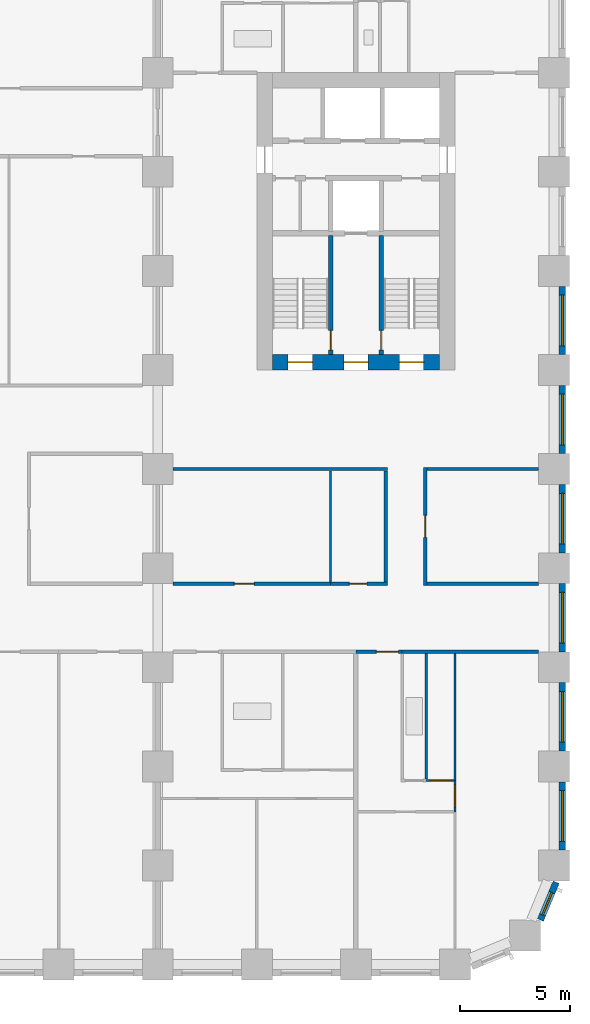
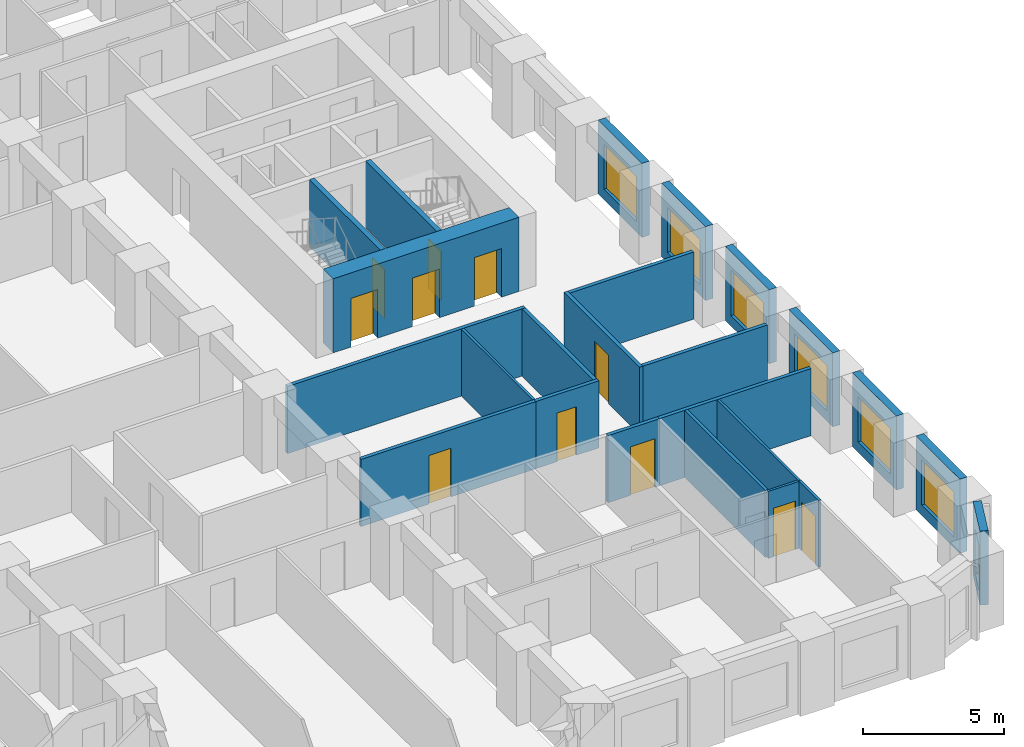
# One storey, part 5 of 12: 24 walls, 11 doors, 7 windows, 18 openings.
"""IFC4 building model written with IfcOpenShell, lengths in metres."""

from ifc_helpers import new_model, si_unit, direction, frame, frame_2d, origin, place, context, subcontext, project, spatial, rectangle, extrude, material, layer, layer_set, type_object, element, fill, save


model = new_model("IFC4")

# Units and contexts
model_context = context("Model", 3, precision=1e-05, world=origin(), true_north=direction((0.0, 1.0)))
body_context = subcontext(model_context, "Body", "Model", "MODEL_VIEW")
ifc_project = project(units=[si_unit("LENGTHUNIT", "METRE"), si_unit("AREAUNIT", "SQUARE_METRE"), si_unit("VOLUMEUNIT", "CUBIC_METRE"), si_unit("PLANEANGLEUNIT", "RADIAN"), si_unit("MASSUNIT", "GRAM", prefix="KILO")], contexts=[model_context])

# Site, building, storey
site_placement = place(None, origin())
site = spatial("IfcSite", under=ifc_project, at=site_placement, CompositionType="ELEMENT")
building_placement = place(site_placement, origin())
building = spatial("IfcBuilding", under=site, at=building_placement, Name="Girih Gate Residences", CompositionType="ELEMENT")
storey_placement = place(building_placement, frame((0.0, 0.0, 33.60009765625)))
storey = spatial("IfcBuildingStorey", under=building, at=storey_placement, Name="L07", CompositionType="ELEMENT", Elevation=33.60009765625)

# Wall
ifc_material_1 = material(Name="Gypsum board on steel studs", Category="steel")
ifc_layer_1 = layer(ifc_material_1, 0.14990234375)
ifc_layer_set_1 = layer_set([ifc_layer_1], Name="Compartment wall 150 mm")
wall_type_1 = type_object("IfcWallType", Name="Compartment wall 150 mm", PredefinedType="PARTITIONING", material=ifc_layer_set_1)
wall_1_placement = place(storey_placement, frame((42.60009765625, 14.199951171875, 0.0), z_axis=(0.0, 0.0, 1.0), x_axis=(1.0, 0.0, 0.0)))
element("IfcWall", 1, at=wall_1_placement, inside=storey, type_object=wall_type_1, Name="L07 partition", PredefinedType="PARTITIONING", context=body_context, shape_type="SweptSolid", body=[
    extrude(rectangle(XDim=6.199951171875, YDim=0.14990234375, at=frame_2d((3.10009765625, 0.0))), origin(), (0.0, 0.0, 1.0), 2.89990234375),
])

# Wall, opening, door
wall_2_placement = place(storey_placement, frame((42.60009765625, 14.199951171875, 0.0), z_axis=(0.0, 0.0, 1.0), x_axis=(-1.0, 0.0, 0.0)))
wall_2 = element("IfcWall", 2, at=wall_2_placement, inside=storey, type_object=wall_type_1, Name="L07 partition", PredefinedType="PARTITIONING", context=body_context, shape_type="SweptSolid", body=[
    extrude(rectangle(XDim=2.10009765625, YDim=0.14990234375, at=frame_2d((1.050048828125, 0.0))), origin(), (0.0, 0.0, 1.0), 2.89990234375),
])
opening_1_placement = place(wall_2_placement, frame((0.175048828125, 0.0, 0.0)))
opening_1 = element("IfcOpeningElement", 3, at=opening_1_placement, cuts=wall_2, Name="Opening A07-019", PredefinedType="OPENING", context=body_context, shape_type="SweptSolid", body=[
    extrude(rectangle(XDim=1.0, YDim=2.10009765625, at=frame_2d((0.5, 1.050048828125))), frame((0.0, 0.0849609375, 0.0), z_axis=(0.0, -1.0, 0.0), x_axis=(1.0, 0.0, 0.0)), (0.0, 0.0, 1.0), 0.169921875),
])
ifc_material_2 = material(Name="Timber, fire-rated core", Category="wood")
door_type_1 = type_object("IfcDoorType", Name="Flat entrance door 1000x2100 FD30S", OperationType="NOTDEFINED", PredefinedType="DOOR", material=ifc_material_2)
door_1_placement = place(opening_1_placement, origin())
door_1 = element("IfcDoor", 4, at=door_1_placement, inside=storey, type_object=door_type_1, Name="Door A07-019", OperationType="SINGLE_SWING_LEFT", OverallHeight=2.10009765625, OverallWidth=1.0, PredefinedType="DOOR", context=body_context, shape_type="SweptSolid", body=[
    extrude(rectangle(XDim=1.0, YDim=2.10009765625, at=frame_2d((0.5, 1.050048828125))), frame((0.0, 0.02490234375, 0.0), z_axis=(0.0, -1.0, 0.0), x_axis=(1.0, 0.0, 0.0)), (0.0, 0.0, 1.0), 0.050048828125),
])
fill(opening_1, door_1)

wall_3_placement = place(storey_placement, frame((32.199951171875, 17.300048828125, 0.0), z_axis=(0.0, 0.0, 1.0), x_axis=(1.0, 0.0, 0.0)))
wall_3 = element("IfcWall", 5, at=wall_3_placement, inside=storey, type_object=wall_type_1, Name="L07 partition", PredefinedType="PARTITIONING", context=body_context, shape_type="SweptSolid", body=[
    extrude(rectangle(XDim=7.150146484375, YDim=0.14990234375, at=frame_2d((3.5751953125, 0.0))), origin(), (0.0, 0.0, 1.0), 2.89990234375),
])
opening_2_placement = place(wall_3_placement, frame((2.77490234375, 0.0, 0.0)))
opening_2 = element("IfcOpeningElement", 6, at=opening_2_placement, cuts=wall_3, Name="Opening A07-045", PredefinedType="OPENING", context=body_context, shape_type="SweptSolid", body=[
    extrude(rectangle(XDim=0.89990234375, YDim=2.10009765625, at=frame_2d((0.449951171875, 1.050048828125))), frame((0.0, 0.0849609375, 0.0), z_axis=(0.0, -1.0, 0.0), x_axis=(1.0, 0.0, 0.0)), (0.0, 0.0, 1.0), 0.169921875),
])
ifc_material_3 = material(Name="Timber", Category="wood")
door_type_2 = type_object("IfcDoorType", Name="Service room door 900x2100", OperationType="NOTDEFINED", PredefinedType="DOOR", material=ifc_material_3)
door_2_placement = place(opening_2_placement, origin())
door_2 = element("IfcDoor", 7, at=door_2_placement, inside=storey, type_object=door_type_2, Name="Door A07-045", OperationType="SINGLE_SWING_LEFT", OverallHeight=2.10009765625, OverallWidth=0.89990234375, PredefinedType="DOOR", context=body_context, shape_type="SweptSolid", body=[
    extrude(rectangle(XDim=0.89990234375, YDim=2.10009765625, at=frame_2d((0.449951171875, 1.050048828125))), frame((0.0, 0.02490234375, 0.0), z_axis=(0.0, -1.0, 0.0), x_axis=(1.0, 0.0, 0.0)), (0.0, 0.0, 1.0), 0.050048828125),
])
fill(opening_2, door_2)

wall_4_placement = place(storey_placement, frame((39.35009765625, 17.300048828125, 0.0), z_axis=(0.0, 0.0, 1.0), x_axis=(1.0, 0.0, 0.0)))
wall_4 = element("IfcWall", 8, at=wall_4_placement, inside=storey, type_object=wall_type_1, Name="L07 partition", PredefinedType="PARTITIONING", context=body_context, shape_type="SweptSolid", body=[
    extrude(rectangle(XDim=2.574951171875, YDim=0.14990234375, at=frame_2d((1.28759765625, 0.0))), origin(), (0.0, 0.0, 1.0), 2.89990234375),
])
opening_3_placement = place(wall_4_placement, frame((0.85009765625, 0.0, 0.0)))
opening_3 = element("IfcOpeningElement", 9, at=opening_3_placement, cuts=wall_4, Name="Opening A07-047", PredefinedType="OPENING", context=body_context, shape_type="SweptSolid", body=[
    extrude(rectangle(XDim=0.800048828125, YDim=2.10009765625, at=frame_2d((0.39990234375, 1.050048828125))), frame((0.0, 0.0849609375, 0.0), z_axis=(0.0, -1.0, 0.0), x_axis=(1.0, 0.0, 0.0)), (0.0, 0.0, 1.0), 0.169921875),
])
door_type_3 = type_object("IfcDoorType", Name="Bathroom door 800x2100", OperationType="NOTDEFINED", PredefinedType="DOOR", material=ifc_material_3)
door_3_placement = place(opening_3_placement, origin())
door_3 = element("IfcDoor", 10, at=door_3_placement, inside=storey, type_object=door_type_3, Name="Door A07-047", OperationType="SINGLE_SWING_LEFT", OverallHeight=2.10009765625, OverallWidth=0.800048828125, PredefinedType="DOOR", context=body_context, shape_type="SweptSolid", body=[
    extrude(rectangle(XDim=0.800048828125, YDim=2.10009765625, at=frame_2d((0.39990234375, 1.050048828125))), frame((0.0, 0.02490234375, 0.0), z_axis=(0.0, -1.0, 0.0), x_axis=(1.0, 0.0, 0.0)), (0.0, 0.0, 1.0), 0.050048828125),
])
fill(opening_3, door_3)

# Walls
wall_5_placement = place(storey_placement, frame((43.72509765625, 17.300048828125, 0.0), z_axis=(0.0, 0.0, 1.0), x_axis=(1.0, 0.0, 0.0)))
element("IfcWall", 11, at=wall_5_placement, inside=storey, type_object=wall_type_1, Name="L07 partition", PredefinedType="PARTITIONING", context=body_context, shape_type="SweptSolid", body=[
    extrude(rectangle(XDim=5.074951171875, YDim=0.14990234375, at=frame_2d((2.53759765625, 0.0))), origin(), (0.0, 0.0, 1.0), 2.89990234375),
])
wall_6_placement = place(storey_placement, frame((32.199951171875, 22.5, 0.0), z_axis=(0.0, 0.0, 1.0), x_axis=(1.0, 0.0, 0.0)))
element("IfcWall", 12, at=wall_6_placement, inside=storey, type_object=wall_type_1, Name="L07 partition", PredefinedType="PARTITIONING", context=body_context, shape_type="SweptSolid", body=[
    extrude(rectangle(XDim=9.72509765625, YDim=0.14990234375, at=frame_2d((4.862548828125, 0.0))), origin(), (0.0, 0.0, 1.0), 2.89990234375),
])
wall_7_placement = place(storey_placement, frame((43.72509765625, 22.5, 0.0), z_axis=(0.0, 0.0, 1.0), x_axis=(1.0, 0.0, 0.0)))
element("IfcWall", 13, at=wall_7_placement, inside=storey, type_object=wall_type_1, Name="L07 partition", PredefinedType="PARTITIONING", context=body_context, shape_type="SweptSolid", body=[
    extrude(rectangle(XDim=5.074951171875, YDim=0.14990234375, at=frame_2d((2.53759765625, 0.0))), origin(), (0.0, 0.0, 1.0), 2.89990234375),
])
wall_8_placement = place(storey_placement, frame((41.85009765625, 17.375, 0.0), z_axis=(0.0, 0.0, 1.0), x_axis=(0.0, 1.0, 0.0)))
element("IfcWall", 14, at=wall_8_placement, inside=storey, type_object=wall_type_1, Name="L07 partition", PredefinedType="PARTITIONING", context=body_context, shape_type="SweptSolid", body=[
    extrude(rectangle(XDim=5.050048828125, YDim=0.14990234375, at=frame_2d((2.52490234375, 0.0))), origin(), (0.0, 0.0, 1.0), 2.89990234375),
])

# Wall, opening, door
wall_9_placement = place(storey_placement, frame((43.64990234375, 22.574951171875, 0.0), z_axis=(0.0, 0.0, 1.0), x_axis=(0.0, -1.0, 0.0)))
wall_9 = element("IfcWall", 15, at=wall_9_placement, inside=storey, type_object=wall_type_1, Name="L07 partition", PredefinedType="PARTITIONING", context=body_context, shape_type="SweptSolid", body=[
    extrude(rectangle(XDim=5.349853515625, YDim=0.14990234375, at=frame_2d((2.6748046875, 0.0))), origin(), (0.0, 0.0, 1.0), 2.89990234375),
])
opening_4_placement = place(wall_9_placement, frame((2.175048828125, 0.0, 0.0)))
opening_4 = element("IfcOpeningElement", 16, at=opening_4_placement, cuts=wall_9, Name="Opening A07-049", PredefinedType="OPENING", context=body_context, shape_type="SweptSolid", body=[
    extrude(rectangle(XDim=1.0, YDim=2.10009765625, at=frame_2d((0.5, 1.050048828125))), frame((0.0, 0.0849609375, 0.0), z_axis=(0.0, -1.0, 0.0), x_axis=(1.0, 0.0, 0.0)), (0.0, 0.0, 1.0), 0.169921875),
])
door_type_4 = type_object("IfcDoorType", Name="Amenity room door 1000x2100 FD30S", OperationType="NOTDEFINED", PredefinedType="DOOR", material=ifc_material_2)
door_4_placement = place(opening_4_placement, origin())
door_4 = element("IfcDoor", 17, at=door_4_placement, inside=storey, type_object=door_type_4, Name="Door A07-049", OperationType="SINGLE_SWING_RIGHT", OverallHeight=2.10009765625, OverallWidth=1.0, PredefinedType="DOOR", context=body_context, shape_type="SweptSolid", body=[
    extrude(rectangle(XDim=1.0, YDim=2.10009765625, at=frame_2d((0.5, 1.050048828125))), frame((0.0, 0.02490234375, 0.0), z_axis=(0.0, -1.0, 0.0), x_axis=(1.0, 0.0, 0.0)), (0.0, 0.0, 1.0), 0.050048828125),
])
fill(opening_4, door_4)

# Wall, openings, doors
ifc_material_4 = material(Name="Concrete C60/75", Category="concrete")
ifc_layer_2 = layer(ifc_material_4, 0.699951171875)
ifc_layer_set_2 = layer_set([ifc_layer_2], Name="Core wall RC 700 Concrete C60/75")
wall_type_2 = type_object("IfcWallType", Name="Core wall RC 700 Concrete C60/75", PredefinedType="SOLIDWALL", material=ifc_layer_set_2)
wall_10_placement = place(storey_placement, frame((36.699951171875, 27.35009765625, 0.0), z_axis=(0.0, 0.0, 1.0), x_axis=(1.0, 0.0, 0.0)))
wall_10 = element("IfcWall", 18, at=wall_10_placement, inside=storey, type_object=wall_type_2, Name="Core wall E-S L07", PredefinedType="SOLIDWALL", context=body_context, shape_type="SweptSolid", body=[
    extrude(rectangle(XDim=7.60009765625, YDim=0.699951171875, at=frame_2d((3.800048828125, 0.0))), origin(), (0.0, 0.0, 1.0), 3.199951171875),
])
opening_5_placement = place(wall_10_placement, frame((5.77490234375, 0.0, 0.0)))
opening_5 = element("IfcOpeningElement", 19, at=opening_5_placement, cuts=wall_10, Name="Opening D-L07-E-010", PredefinedType="OPENING", context=body_context, shape_type="SweptSolid", body=[
    extrude(rectangle(XDim=1.10009765625, YDim=2.10009765625, at=frame_2d((0.550048828125, 1.050048828125))), frame((0.0, 0.35986328125, 0.0), z_axis=(0.0, -1.0, 0.0), x_axis=(1.0, 0.0, 0.0)), (0.0, 0.0, 1.0), 0.719970703125),
])
opening_6_placement = place(wall_10_placement, frame((3.25, 0.0, 0.0)))
opening_6 = element("IfcOpeningElement", 20, at=opening_6_placement, cuts=wall_10, Name="Opening D-L07-E-011", PredefinedType="OPENING", context=body_context, shape_type="SweptSolid", body=[
    extrude(rectangle(XDim=1.10009765625, YDim=2.10009765625, at=frame_2d((0.550048828125, 1.050048828125))), frame((0.0, 0.35986328125, 0.0), z_axis=(0.0, -1.0, 0.0), x_axis=(1.0, 0.0, 0.0)), (0.0, 0.0, 1.0), 0.719970703125),
])
opening_7_placement = place(wall_10_placement, frame((0.72509765625, 0.0, 0.0)))
opening_7 = element("IfcOpeningElement", 21, at=opening_7_placement, cuts=wall_10, Name="Opening D-L07-E-012", PredefinedType="OPENING", context=body_context, shape_type="SweptSolid", body=[
    extrude(rectangle(XDim=1.10009765625, YDim=2.10009765625, at=frame_2d((0.550048828125, 1.050048828125))), frame((0.0, 0.35986328125, 0.0), z_axis=(0.0, -1.0, 0.0), x_axis=(1.0, 0.0, 0.0)), (0.0, 0.0, 1.0), 0.719970703125),
])
ifc_material_5 = material(Name="Painted steel, fire-resisting", Category="steel")
door_type_5 = type_object("IfcDoorType", Name="Fire door 1100x2100", OperationType="SINGLE_SWING_LEFT", PredefinedType="DOOR", material=ifc_material_5)
door_5_placement = place(opening_5_placement, origin())
door_5 = element("IfcDoor", 22, at=door_5_placement, inside=storey, type_object=door_type_5, Name="L07 E core door sta-out", OperationType="SINGLE_SWING_LEFT", OverallHeight=2.10009765625, OverallWidth=1.10009765625, PredefinedType="DOOR", context=body_context, shape_type="SweptSolid", body=[
    extrude(rectangle(XDim=1.10009765625, YDim=2.10009765625, at=frame_2d((0.550048828125, 1.050048828125))), frame((0.0, 0.02490234375, 0.0), z_axis=(0.0, -1.0, 0.0), x_axis=(1.0, 0.0, 0.0)), (0.0, 0.0, 1.0), 0.050048828125),
])
fill(opening_5, door_5)
door_6_placement = place(opening_6_placement, origin())
door_6 = element("IfcDoor", 23, at=door_6_placement, inside=storey, type_object=door_type_5, Name="L07 E core door ffl-out", OperationType="SINGLE_SWING_LEFT", OverallHeight=2.10009765625, OverallWidth=1.10009765625, PredefinedType="DOOR", context=body_context, shape_type="SweptSolid", body=[
    extrude(rectangle(XDim=1.10009765625, YDim=2.10009765625, at=frame_2d((0.550048828125, 1.050048828125))), frame((0.0, 0.02490234375, 0.0), z_axis=(0.0, -1.0, 0.0), x_axis=(1.0, 0.0, 0.0)), (0.0, 0.0, 1.0), 0.050048828125),
])
fill(opening_6, door_6)
door_7_placement = place(opening_7_placement, origin())
door_7 = element("IfcDoor", 24, at=door_7_placement, inside=storey, type_object=door_type_5, Name="L07 E core door stb-out", OperationType="SINGLE_SWING_LEFT", OverallHeight=2.10009765625, OverallWidth=1.10009765625, PredefinedType="DOOR", context=body_context, shape_type="SweptSolid", body=[
    extrude(rectangle(XDim=1.10009765625, YDim=2.10009765625, at=frame_2d((0.550048828125, 1.050048828125))), frame((0.0, 0.02490234375, 0.0), z_axis=(0.0, -1.0, 0.0), x_axis=(1.0, 0.0, 0.0)), (0.0, 0.0, 1.0), 0.050048828125),
])
fill(opening_7, door_7)

# Wall, opening, door
ifc_layer_3 = layer(ifc_material_1, 0.10009765625)
ifc_layer_set_3 = layer_set([ifc_layer_3], Name="Partition 100 mm")
wall_type_3 = type_object("IfcWallType", Name="Partition 100 mm", PredefinedType="PARTITIONING", material=ifc_layer_set_3)
wall_11_placement = place(storey_placement, frame((43.69091796875, 8.360107421875, 0.0), z_axis=(0.0, 0.0, 1.0), x_axis=(1.0, 0.0, 0.0)))
wall_11 = element("IfcWall", 25, at=wall_11_placement, inside=storey, type_object=wall_type_3, Name="L07 partition", PredefinedType="PARTITIONING", context=body_context, shape_type="SweptSolid", body=[
    extrude(rectangle(XDim=1.259033203125, YDim=0.10009765625, at=frame_2d((0.62939453125, 0.0))), origin(), (0.0, 0.0, 1.0), 2.89990234375),
])
opening_8_placement = place(wall_11_placement, frame((0.20458984375, 0.0, 0.0)))
opening_8 = element("IfcOpeningElement", 26, at=opening_8_placement, cuts=wall_11, Name="Opening A07-017", PredefinedType="OPENING", context=body_context, shape_type="SweptSolid", body=[
    extrude(rectangle(XDim=0.89990234375, YDim=2.10009765625, at=frame_2d((0.449951171875, 1.050048828125))), frame((0.0, 0.06005859375, 0.0), z_axis=(0.0, -1.0, 0.0), x_axis=(1.0, 0.0, 0.0)), (0.0, 0.0, 1.0), 0.1201171875),
])
door_type_6 = type_object("IfcDoorType", Name="Kitchen door 900x2100", OperationType="NOTDEFINED", PredefinedType="DOOR", material=ifc_material_3)
door_8_placement = place(opening_8_placement, origin())
door_8 = element("IfcDoor", 27, at=door_8_placement, inside=storey, type_object=door_type_6, Name="Door A07-017", OperationType="SINGLE_SWING_RIGHT", OverallHeight=2.10009765625, OverallWidth=0.89990234375, PredefinedType="DOOR", context=body_context, shape_type="SweptSolid", body=[
    extrude(rectangle(XDim=0.89990234375, YDim=2.10009765625, at=frame_2d((0.449951171875, 1.050048828125))), frame((0.0, 0.02490234375, 0.0), z_axis=(0.0, -1.0, 0.0), x_axis=(1.0, 0.0, 0.0)), (0.0, 0.0, 1.0), 0.050048828125),
])
fill(opening_8, door_8)

wall_12_placement = place(storey_placement, frame((45.0, 8.360107421875, 0.0), z_axis=(0.0, 0.0, 1.0), x_axis=(0.0, -1.0, 0.0)))
wall_12 = element("IfcWall", 28, at=wall_12_placement, inside=storey, type_object=wall_type_3, Name="L07 partition", PredefinedType="PARTITIONING", context=body_context, shape_type="SweptSolid", body=[
    extrude(rectangle(XDim=1.420166015625, YDim=0.10009765625, at=frame_2d((0.7099609375, 0.0))), origin(), (0.0, 0.0, 1.0), 2.89990234375),
])
opening_9_placement = place(wall_12_placement, frame((0.2099609375, 0.0, 0.0)))
opening_9 = element("IfcOpeningElement", 29, at=opening_9_placement, cuts=wall_12, Name="Opening A07-018", PredefinedType="OPENING", context=body_context, shape_type="SweptSolid", body=[
    extrude(rectangle(XDim=1.0, YDim=2.10009765625, at=frame_2d((0.5, 1.050048828125))), frame((0.0, 0.06005859375, 0.0), z_axis=(0.0, -1.0, 0.0), x_axis=(1.0, 0.0, 0.0)), (0.0, 0.0, 1.0), 0.1201171875),
])
door_type_7 = type_object("IfcDoorType", Name="Living room door 1000x2100", OperationType="NOTDEFINED", PredefinedType="DOOR", material=ifc_material_3)
door_9_placement = place(opening_9_placement, origin())
door_9 = element("IfcDoor", 30, at=door_9_placement, inside=storey, type_object=door_type_7, Name="Door A07-018", OperationType="SINGLE_SWING_LEFT", OverallHeight=2.10009765625, OverallWidth=1.0, PredefinedType="DOOR", context=body_context, shape_type="SweptSolid", body=[
    extrude(rectangle(XDim=1.0, YDim=2.10009765625, at=frame_2d((0.5, 1.050048828125))), frame((0.0, 0.02490234375, 0.0), z_axis=(0.0, -1.0, 0.0), x_axis=(1.0, 0.0, 0.0)), (0.0, 0.0, 1.0), 0.050048828125),
])
fill(opening_9, door_9)

# Walls
wall_13_placement = place(storey_placement, frame((45.0, 8.360107421875, 0.0), z_axis=(0.0, 0.0, 1.0), x_axis=(0.0, 1.0, 0.0)))
element("IfcWall", 31, at=wall_13_placement, inside=storey, type_object=wall_type_3, Name="L07 partition", PredefinedType="PARTITIONING", context=body_context, shape_type="SweptSolid", body=[
    extrude(rectangle(XDim=5.764892578125, YDim=0.10009765625, at=frame_2d((2.88232421875, 0.0))), origin(), (0.0, 0.0, 1.0), 2.89990234375),
])
wall_14_placement = place(storey_placement, frame((39.35009765625, 17.375, 0.0), z_axis=(0.0, 0.0, 1.0), x_axis=(0.0, 1.0, 0.0)))
element("IfcWall", 32, at=wall_14_placement, inside=storey, type_object=wall_type_3, Name="L07 partition", PredefinedType="PARTITIONING", context=body_context, shape_type="SweptSolid", body=[
    extrude(rectangle(XDim=5.050048828125, YDim=0.10009765625, at=frame_2d((2.52490234375, 0.0))), origin(), (0.0, 0.0, 1.0), 2.89990234375),
])

# Wall, opening, window
ifc_material_6 = material(Name="Precast concrete C50/60", Category="concrete")
ifc_layer_4 = layer(ifc_material_6, 0.080078125, Name="Outer leaf")
ifc_material_7 = material(Name="Rigid PIR insulation")
ifc_layer_5 = layer(ifc_material_7, 0.14990234375, Name="Insulation")
ifc_material_8 = material(Name="Precast concrete C40/50", Category="concrete")
ifc_layer_6 = layer(ifc_material_8, 0.070068359375, Name="Inner leaf")
ifc_layer_set_4 = layer_set([ifc_layer_4, ifc_layer_5, ifc_layer_6], Name="Precast concrete C50/60 external wall 300")
wall_type_4 = type_object("IfcWallType", Name="Precast concrete C50/60 external wall 300", PredefinedType="SOLIDWALL", material=ifc_layer_set_4)
wall_15_placement = place(storey_placement, frame((49.59228515625, 3.74267578125, 0.0), z_axis=(0.0, 0.0, 1.0), x_axis=(-0.382737135771, -0.923857286003, 0.0)))
wall_15 = element("IfcWall", 33, at=wall_15_placement, inside=storey, type_object=wall_type_4, Name="External wall SE0482_0013.0", PredefinedType="SOLIDWALL", context=body_context, shape_type="SweptSolid", body=[
    extrude(rectangle(XDim=1.865234375, YDim=0.300048828125, at=frame_2d((0.9326171875, 0.0))), origin(), (0.0, 0.0, 1.0), 3.199951171875),
])
opening_10_placement = place(wall_15_placement, frame((0.507568359375, 0.0, 0.449951171875)))
opening_10 = element("IfcOpeningElement", 34, at=opening_10_placement, cuts=wall_15, Name="Opening W-2C", PredefinedType="OPENING", context=body_context, shape_type="SweptSolid", body=[
    extrude(rectangle(XDim=1.10009765625, YDim=1.949951171875, at=frame_2d((0.550048828125, 0.97509765625))), frame((0.0, 0.159912109375, 0.0), z_axis=(0.0, -1.0, 0.0), x_axis=(1.0, 0.0, 0.0)), (0.0, 0.0, 1.0), 0.320068359375),
])
ifc_material_9 = material(Name="Double glazing in aluminium frame", Category="aluminium")
window_type_1 = type_object("IfcWindowType", Name="Window W-2C 1100x1950", PartitioningType="SINGLE_PANEL", PredefinedType="WINDOW", material=ifc_material_9)
window_1_placement = place(opening_10_placement, origin())
window_1 = element("IfcWindow", 35, at=window_1_placement, inside=storey, type_object=window_type_1, Name="Window W-2C SE0482_0013.0", OverallHeight=1.949951171875, OverallWidth=1.10009765625, PartitioningType="SINGLE_PANEL", PredefinedType="WINDOW", context=body_context, shape_type="SweptSolid", body=[
    extrude(rectangle(XDim=1.10009765625, YDim=1.949951171875, at=frame_2d((0.550048828125, 0.97509765625))), frame((0.0, 0.030029296875, 0.0), z_axis=(0.0, -1.0, 0.0), x_axis=(1.0, 0.0, 0.0)), (0.0, 0.0, 1.0), 0.06005859375),
])
fill(opening_10, window_1)

wall_16_placement = place(storey_placement, frame((49.875, 8.300048828125, 0.0), z_axis=(0.0, 0.0, 1.0), x_axis=(0.0, -1.0, 0.0)))
wall_16 = element("IfcWall", 36, at=wall_16_placement, inside=storey, type_object=wall_type_4, Name="External wall E0495_0045.0", PredefinedType="SOLIDWALL", context=body_context, shape_type="SweptSolid", body=[
    extrude(rectangle(XDim=3.10009765625, YDim=0.300048828125, at=frame_2d((1.550048828125, 0.0))), origin(), (0.0, 0.0, 1.0), 3.199951171875),
])
opening_11_placement = place(wall_16_placement, frame((0.39990234375, 0.0, 0.449951171875)))
opening_11 = element("IfcOpeningElement", 37, at=opening_11_placement, cuts=wall_16, Name="Opening W-1", PredefinedType="OPENING", context=body_context, shape_type="SweptSolid", body=[
    extrude(rectangle(XDim=2.300048828125, YDim=1.949951171875, at=frame_2d((1.14990234375, 0.97509765625))), frame((0.0, 0.159912109375, 0.0), z_axis=(0.0, -1.0, 0.0), x_axis=(1.0, 0.0, 0.0)), (0.0, 0.0, 1.0), 0.320068359375),
])
window_type_2 = type_object("IfcWindowType", Name="Window W-1 2300x1950", PartitioningType="SINGLE_PANEL", PredefinedType="WINDOW", material=ifc_material_9)
window_2_placement = place(opening_11_placement, origin())
window_2 = element("IfcWindow", 38, at=window_2_placement, inside=storey, type_object=window_type_2, Name="Window W-1 E0495_0045.0", OverallHeight=1.949951171875, OverallWidth=2.300048828125, PartitioningType="SINGLE_PANEL", PredefinedType="WINDOW", context=body_context, shape_type="SweptSolid", body=[
    extrude(rectangle(XDim=2.300048828125, YDim=1.949951171875, at=frame_2d((1.14990234375, 0.97509765625))), frame((0.0, 0.030029296875, 0.0), z_axis=(0.0, -1.0, 0.0), x_axis=(1.0, 0.0, 0.0)), (0.0, 0.0, 1.0), 0.06005859375),
])
fill(opening_11, window_2)

wall_17_placement = place(storey_placement, frame((49.875, 12.800048828125, 0.0), z_axis=(0.0, 0.0, 1.0), x_axis=(0.0, -1.0, 0.0)))
wall_17 = element("IfcWall", 39, at=wall_17_placement, inside=storey, type_object=wall_type_4, Name="External wall E0495_0045.1", PredefinedType="SOLIDWALL", context=body_context, shape_type="SweptSolid", body=[
    extrude(rectangle(XDim=3.10009765625, YDim=0.300048828125, at=frame_2d((1.550048828125, 0.0))), origin(), (0.0, 0.0, 1.0), 3.199951171875),
])
opening_12_placement = place(wall_17_placement, frame((0.39990234375, 0.0, 0.449951171875)))
opening_12 = element("IfcOpeningElement", 40, at=opening_12_placement, cuts=wall_17, Name="Opening W-1", PredefinedType="OPENING", context=body_context, shape_type="SweptSolid", body=[
    extrude(rectangle(XDim=2.300048828125, YDim=1.949951171875, at=frame_2d((1.14990234375, 0.97509765625))), frame((0.0, 0.159912109375, 0.0), z_axis=(0.0, -1.0, 0.0), x_axis=(1.0, 0.0, 0.0)), (0.0, 0.0, 1.0), 0.320068359375),
])
window_3_placement = place(opening_12_placement, origin())
window_3 = element("IfcWindow", 41, at=window_3_placement, inside=storey, type_object=window_type_2, Name="Window W-1 E0495_0045.1", OverallHeight=1.949951171875, OverallWidth=2.300048828125, PartitioningType="SINGLE_PANEL", PredefinedType="WINDOW", context=body_context, shape_type="SweptSolid", body=[
    extrude(rectangle(XDim=2.300048828125, YDim=1.949951171875, at=frame_2d((1.14990234375, 0.97509765625))), frame((0.0, 0.030029296875, 0.0), z_axis=(0.0, -1.0, 0.0), x_axis=(1.0, 0.0, 0.0)), (0.0, 0.0, 1.0), 0.06005859375),
])
fill(opening_12, window_3)

wall_18_placement = place(storey_placement, frame((49.875, 17.300048828125, 0.0), z_axis=(0.0, 0.0, 1.0), x_axis=(0.0, -1.0, 0.0)))
wall_18 = element("IfcWall", 42, at=wall_18_placement, inside=storey, type_object=wall_type_4, Name="External wall E0495_0045.2", PredefinedType="SOLIDWALL", context=body_context, shape_type="SweptSolid", body=[
    extrude(rectangle(XDim=3.10009765625, YDim=0.300048828125, at=frame_2d((1.550048828125, 0.0))), origin(), (0.0, 0.0, 1.0), 3.199951171875),
])
opening_13_placement = place(wall_18_placement, frame((0.39990234375, 0.0, 0.449951171875)))
opening_13 = element("IfcOpeningElement", 43, at=opening_13_placement, cuts=wall_18, Name="Opening W-1", PredefinedType="OPENING", context=body_context, shape_type="SweptSolid", body=[
    extrude(rectangle(XDim=2.300048828125, YDim=1.949951171875, at=frame_2d((1.14990234375, 0.97509765625))), frame((0.0, 0.159912109375, 0.0), z_axis=(0.0, -1.0, 0.0), x_axis=(1.0, 0.0, 0.0)), (0.0, 0.0, 1.0), 0.320068359375),
])
window_4_placement = place(opening_13_placement, origin())
window_4 = element("IfcWindow", 44, at=window_4_placement, inside=storey, type_object=window_type_2, Name="Window W-1 E0495_0045.2", OverallHeight=1.949951171875, OverallWidth=2.300048828125, PartitioningType="SINGLE_PANEL", PredefinedType="WINDOW", context=body_context, shape_type="SweptSolid", body=[
    extrude(rectangle(XDim=2.300048828125, YDim=1.949951171875, at=frame_2d((1.14990234375, 0.97509765625))), frame((0.0, 0.030029296875, 0.0), z_axis=(0.0, -1.0, 0.0), x_axis=(1.0, 0.0, 0.0)), (0.0, 0.0, 1.0), 0.06005859375),
])
fill(opening_13, window_4)

wall_19_placement = place(storey_placement, frame((49.875, 21.800048828125, 0.0), z_axis=(0.0, 0.0, 1.0), x_axis=(0.0, -1.0, 0.0)))
wall_19 = element("IfcWall", 45, at=wall_19_placement, inside=storey, type_object=wall_type_4, Name="External wall E0495_0045.3", PredefinedType="SOLIDWALL", context=body_context, shape_type="SweptSolid", body=[
    extrude(rectangle(XDim=3.10009765625, YDim=0.300048828125, at=frame_2d((1.550048828125, 0.0))), origin(), (0.0, 0.0, 1.0), 3.199951171875),
])
opening_14_placement = place(wall_19_placement, frame((0.39990234375, 0.0, 0.449951171875)))
opening_14 = element("IfcOpeningElement", 46, at=opening_14_placement, cuts=wall_19, Name="Opening W-1", PredefinedType="OPENING", context=body_context, shape_type="SweptSolid", body=[
    extrude(rectangle(XDim=2.300048828125, YDim=1.949951171875, at=frame_2d((1.14990234375, 0.97509765625))), frame((0.0, 0.159912109375, 0.0), z_axis=(0.0, -1.0, 0.0), x_axis=(1.0, 0.0, 0.0)), (0.0, 0.0, 1.0), 0.320068359375),
])
window_5_placement = place(opening_14_placement, origin())
window_5 = element("IfcWindow", 47, at=window_5_placement, inside=storey, type_object=window_type_2, Name="Window W-1 E0495_0045.3", OverallHeight=1.949951171875, OverallWidth=2.300048828125, PartitioningType="SINGLE_PANEL", PredefinedType="WINDOW", context=body_context, shape_type="SweptSolid", body=[
    extrude(rectangle(XDim=2.300048828125, YDim=1.949951171875, at=frame_2d((1.14990234375, 0.97509765625))), frame((0.0, 0.030029296875, 0.0), z_axis=(0.0, -1.0, 0.0), x_axis=(1.0, 0.0, 0.0)), (0.0, 0.0, 1.0), 0.06005859375),
])
fill(opening_14, window_5)

wall_20_placement = place(storey_placement, frame((49.875, 26.300048828125, 0.0), z_axis=(0.0, 0.0, 1.0), x_axis=(0.0, -1.0, 0.0)))
wall_20 = element("IfcWall", 48, at=wall_20_placement, inside=storey, type_object=wall_type_4, Name="External wall E0495_0045.4", PredefinedType="SOLIDWALL", context=body_context, shape_type="SweptSolid", body=[
    extrude(rectangle(XDim=3.10009765625, YDim=0.300048828125, at=frame_2d((1.550048828125, 0.0))), origin(), (0.0, 0.0, 1.0), 3.199951171875),
])
opening_15_placement = place(wall_20_placement, frame((0.39990234375, 0.0, 0.449951171875)))
opening_15 = element("IfcOpeningElement", 49, at=opening_15_placement, cuts=wall_20, Name="Opening W-1", PredefinedType="OPENING", context=body_context, shape_type="SweptSolid", body=[
    extrude(rectangle(XDim=2.300048828125, YDim=1.949951171875, at=frame_2d((1.14990234375, 0.97509765625))), frame((0.0, 0.159912109375, 0.0), z_axis=(0.0, -1.0, 0.0), x_axis=(1.0, 0.0, 0.0)), (0.0, 0.0, 1.0), 0.320068359375),
])
window_6_placement = place(opening_15_placement, origin())
window_6 = element("IfcWindow", 50, at=window_6_placement, inside=storey, type_object=window_type_2, Name="Window W-1 E0495_0045.4", OverallHeight=1.949951171875, OverallWidth=2.300048828125, PartitioningType="SINGLE_PANEL", PredefinedType="WINDOW", context=body_context, shape_type="SweptSolid", body=[
    extrude(rectangle(XDim=2.300048828125, YDim=1.949951171875, at=frame_2d((1.14990234375, 0.97509765625))), frame((0.0, 0.030029296875, 0.0), z_axis=(0.0, -1.0, 0.0), x_axis=(1.0, 0.0, 0.0)), (0.0, 0.0, 1.0), 0.06005859375),
])
fill(opening_15, window_6)

wall_21_placement = place(storey_placement, frame((49.875, 30.800048828125, 0.0), z_axis=(0.0, 0.0, 1.0), x_axis=(0.0, -1.0, 0.0)))
wall_21 = element("IfcWall", 51, at=wall_21_placement, inside=storey, type_object=wall_type_4, Name="External wall E0495_0045.5", PredefinedType="SOLIDWALL", context=body_context, shape_type="SweptSolid", body=[
    extrude(rectangle(XDim=3.10009765625, YDim=0.300048828125, at=frame_2d((1.550048828125, 0.0))), origin(), (0.0, 0.0, 1.0), 3.199951171875),
])
opening_16_placement = place(wall_21_placement, frame((0.39990234375, 0.0, 0.449951171875)))
opening_16 = element("IfcOpeningElement", 52, at=opening_16_placement, cuts=wall_21, Name="Opening W-1", PredefinedType="OPENING", context=body_context, shape_type="SweptSolid", body=[
    extrude(rectangle(XDim=2.300048828125, YDim=1.949951171875, at=frame_2d((1.14990234375, 0.97509765625))), frame((0.0, 0.159912109375, 0.0), z_axis=(0.0, -1.0, 0.0), x_axis=(1.0, 0.0, 0.0)), (0.0, 0.0, 1.0), 0.320068359375),
])
window_7_placement = place(opening_16_placement, origin())
window_7 = element("IfcWindow", 53, at=window_7_placement, inside=storey, type_object=window_type_2, Name="Window W-1 E0495_0045.5", OverallHeight=1.949951171875, OverallWidth=2.300048828125, PartitioningType="SINGLE_PANEL", PredefinedType="WINDOW", context=body_context, shape_type="SweptSolid", body=[
    extrude(rectangle(XDim=2.300048828125, YDim=1.949951171875, at=frame_2d((1.14990234375, 0.97509765625))), frame((0.0, 0.030029296875, 0.0), z_axis=(0.0, -1.0, 0.0), x_axis=(1.0, 0.0, 0.0)), (0.0, 0.0, 1.0), 0.06005859375),
])
fill(opening_16, window_7)

# Wall, opening, door
ifc_material_10 = material(Name="Concrete C40/50", Category="concrete")
ifc_layer_7 = layer(ifc_material_10, 0.199951171875)
ifc_layer_set_5 = layer_set([ifc_layer_7], Name="Shaft wall 200")
wall_type_5 = type_object("IfcWallType", Name="Shaft wall 200", PredefinedType="SOLIDWALL", material=ifc_layer_set_5)
wall_22_placement = place(storey_placement, frame((41.64990234375, 27.699951171875, 0.0), z_axis=(0.0, 0.0, 1.0), x_axis=(0.0, 1.0, 0.0)))
wall_22 = element("IfcWall", 54, at=wall_22_placement, inside=storey, type_object=wall_type_5, Name="L07 E core wall V1a", PredefinedType="SOLIDWALL", context=body_context, shape_type="SweptSolid", body=[
    extrude(rectangle(XDim=5.400146484375, YDim=0.199951171875, at=frame_2d((2.7001953125, 0.0))), origin(), (0.0, 0.0, 1.0), 2.89990234375),
])
opening_17_placement = place(wall_22_placement, frame((0.199951171875, 0.0, 0.0)))
opening_17 = element("IfcOpeningElement", 55, at=opening_17_placement, cuts=wall_22, Name="Opening D-L07-E-001", PredefinedType="OPENING", context=body_context, shape_type="SweptSolid", body=[
    extrude(rectangle(XDim=0.89990234375, YDim=2.10009765625, at=frame_2d((0.449951171875, 1.050048828125))), frame((0.0, 0.10986328125, 0.0), z_axis=(0.0, -1.0, 0.0), x_axis=(1.0, 0.0, 0.0)), (0.0, 0.0, 1.0), 0.219970703125),
])
door_type_8 = type_object("IfcDoorType", Name="Fire door 900x2100", OperationType="SINGLE_SWING_LEFT", PredefinedType="DOOR", material=ifc_material_5)
door_10_placement = place(opening_17_placement, origin())
door_10 = element("IfcDoor", 56, at=door_10_placement, inside=storey, type_object=door_type_8, Name="L07 E door stair 1 to firefighting lobby", OperationType="SINGLE_SWING_LEFT", OverallHeight=2.10009765625, OverallWidth=0.89990234375, PredefinedType="DOOR", context=body_context, shape_type="SweptSolid", body=[
    extrude(rectangle(XDim=0.89990234375, YDim=2.10009765625, at=frame_2d((0.449951171875, 1.050048828125))), frame((0.0, 0.02490234375, 0.0), z_axis=(0.0, -1.0, 0.0), x_axis=(1.0, 0.0, 0.0)), (0.0, 0.0, 1.0), 0.050048828125),
])
fill(opening_17, door_10)

wall_23_placement = place(storey_placement, frame((39.35009765625, 27.699951171875, 0.0), z_axis=(0.0, 0.0, 1.0), x_axis=(0.0, 1.0, 0.0)))
wall_23 = element("IfcWall", 57, at=wall_23_placement, inside=storey, type_object=wall_type_5, Name="L07 E core wall V2a", PredefinedType="SOLIDWALL", context=body_context, shape_type="SweptSolid", body=[
    extrude(rectangle(XDim=5.400146484375, YDim=0.199951171875, at=frame_2d((2.7001953125, 0.0))), origin(), (0.0, 0.0, 1.0), 2.89990234375),
])
opening_18_placement = place(wall_23_placement, frame((0.199951171875, 0.0, 0.0)))
opening_18 = element("IfcOpeningElement", 58, at=opening_18_placement, cuts=wall_23, Name="Opening D-L07-E-002", PredefinedType="OPENING", context=body_context, shape_type="SweptSolid", body=[
    extrude(rectangle(XDim=0.89990234375, YDim=2.10009765625, at=frame_2d((0.449951171875, 1.050048828125))), frame((0.0, 0.10986328125, 0.0), z_axis=(0.0, -1.0, 0.0), x_axis=(1.0, 0.0, 0.0)), (0.0, 0.0, 1.0), 0.219970703125),
])
door_11_placement = place(opening_18_placement, origin())
door_11 = element("IfcDoor", 59, at=door_11_placement, inside=storey, type_object=door_type_8, Name="L07 E door stair 2 to firefighting lobby", OperationType="SINGLE_SWING_LEFT", OverallHeight=2.10009765625, OverallWidth=0.89990234375, PredefinedType="DOOR", context=body_context, shape_type="SweptSolid", body=[
    extrude(rectangle(XDim=0.89990234375, YDim=2.10009765625, at=frame_2d((0.449951171875, 1.050048828125))), frame((0.0, 0.02490234375, 0.0), z_axis=(0.0, -1.0, 0.0), x_axis=(1.0, 0.0, 0.0)), (0.0, 0.0, 1.0), 0.050048828125),
])
fill(opening_18, door_11)

# Wall
ifc_layer_8 = layer(ifc_material_1, 0.125)
ifc_layer_set_6 = layer_set([ifc_layer_8], Name="Wet room wall 125 mm")
wall_type_6 = type_object("IfcWallType", Name="Wet room wall 125 mm", PredefinedType="PARTITIONING", material=ifc_layer_set_6)
wall_24_placement = place(storey_placement, frame((43.69091796875, 8.422607421875, 0.0), z_axis=(0.0, 0.0, 1.0), x_axis=(0.0, 1.0, 0.0)))
element("IfcWall", 60, at=wall_24_placement, inside=storey, type_object=wall_type_6, Name="L07 partition", PredefinedType="PARTITIONING", context=body_context, shape_type="SweptSolid", body=[
    extrude(rectangle(XDim=5.702392578125, YDim=0.125, at=frame_2d((2.85107421875, 0.0))), origin(), (0.0, 0.0, 1.0), 2.89990234375),
])

save(model, "model.ifc")
